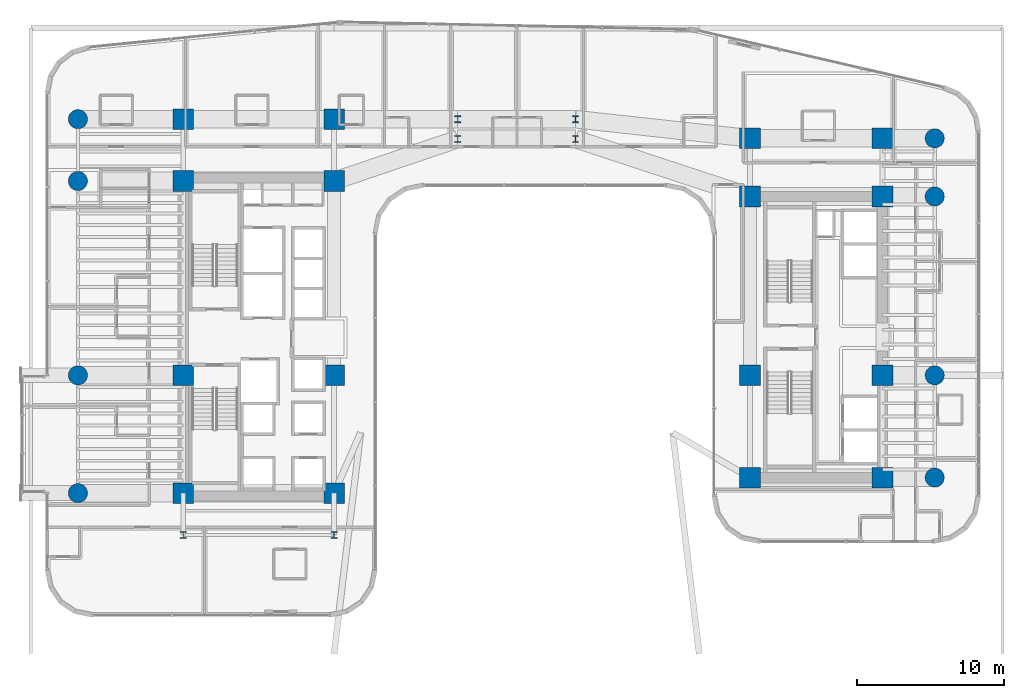
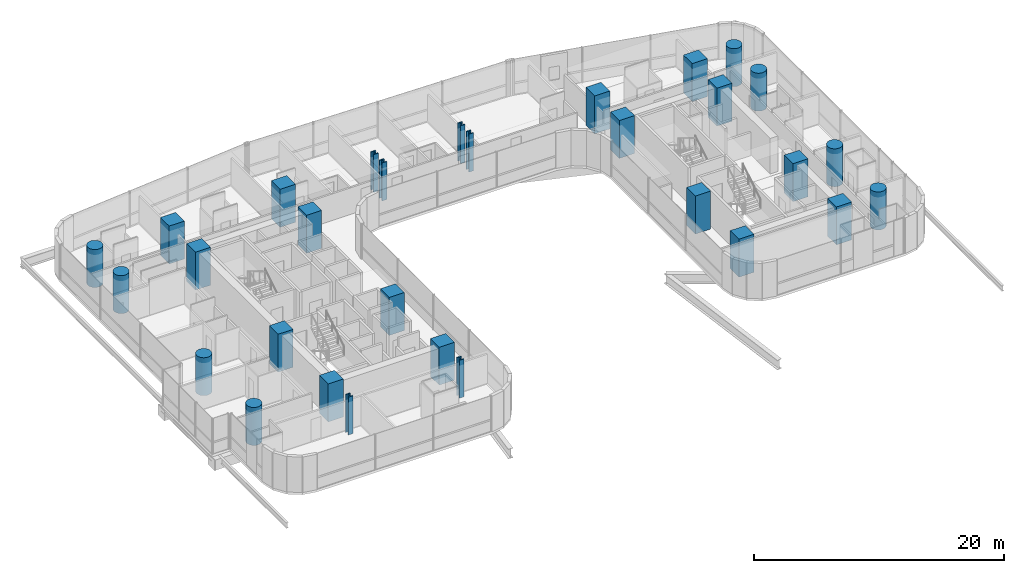
# One storey, part 1 of 50: 30 columns.
"""IFC4 building model written with IfcOpenShell, lengths in metres."""

from ifc_helpers import new_model, si_unit, direction, frame, origin, origin_2d, place, context, subcontext, project, spatial, rectangle, circle, i_section, extrude, source, transform, mapped, material, material_profile, profile_set, type_object, element, save


model = new_model("IFC4")

# Units and contexts
model_context = context("Model", 3, precision=1e-05, world=origin(), true_north=direction((0.0, 1.0)))
body_context = subcontext(model_context, "Body", "Model", "MODEL_VIEW")
ifc_project = project(units=[si_unit("LENGTHUNIT", "METRE"), si_unit("AREAUNIT", "SQUARE_METRE"), si_unit("VOLUMEUNIT", "CUBIC_METRE"), si_unit("PLANEANGLEUNIT", "RADIAN"), si_unit("MASSUNIT", "GRAM", prefix="KILO")], contexts=[model_context])

# Site, building, storey
site_placement = place(None, origin())
site = spatial("IfcSite", under=ifc_project, at=site_placement, CompositionType="ELEMENT")
building_placement = place(site_placement, origin())
building = spatial("IfcBuilding", under=site, at=building_placement, Name="Valdorenza Pilgrim Sanctuary Tower", CompositionType="ELEMENT")
storey_placement = place(building_placement, frame((0.0, 0.0, 26.0)))
storey = spatial("IfcBuildingStorey", under=building, at=storey_placement, Name="L05", CompositionType="ELEMENT", Elevation=26.0)

# Columns
ifc_material_1 = material(Name="Concrete C60/75", Category="concrete")
ifc_material_profile_1 = material_profile(ifc_material_1, circle(Radius=0.64990234375, at=origin_2d()), Name="RC D1300")
ifc_profile_set_1 = profile_set([ifc_material_profile_1], Name="Concrete C60/75")
column_type_1 = type_object("IfcColumnType", Name="COL-RND-1300", PredefinedType="COLUMN", material=ifc_profile_set_1)
shared_shape_1 = source(origin(), body_context, "Body", "SweptSolid", [
    extrude(circle(Radius=0.64990234375, at=origin_2d()), origin(), (0.0, 0.0, 1.0), 3.699951171875),
])
for number, where, z_axis, x_axis, name in (
    (1, (-29.800048828125, -10.60009765625, 0.0), (0.0, 0.0, 1.0), (1.0, 0.0, 0.0), "L05 Perimeter Column WA-W-S1"),
    (2, (-29.800048828125, -2.60009765625, 0.0), (0.0, 0.0, 1.0), (1.0, 0.0, 0.0), "L05 Perimeter Column WA-W-M0"),
    (3, (-29.800048828125, 10.60009765625, 0.0), (0.0, 0.0, 1.0), (1.0, 0.0, 0.0), "L05 Perimeter Column WA-W-N1"),
    (4, (-29.800048828125, 14.800048828125, 0.0), (0.0, 0.0, 1.0), (1.0, 0.0, 0.0), "L05 Perimeter Column WA-W-N2"),
    (5, (28.39990234375, -9.550048828125, 0.0), (0.0, 0.0, 1.0), (1.0, 0.0, 0.0), "L05 Perimeter Column WB-E-S1"),
    (6, (28.39990234375, -2.60009765625, 0.0), (0.0, 0.0, 1.0), (1.0, 0.0, 0.0), "L05 Perimeter Column WB-E-M0"),
    (7, (28.39990234375, 9.550048828125, 0.0), (0.0, 0.0, 1.0), (1.0, 0.0, 0.0), "L05 Perimeter Column WB-E-N1"),
    (8, (28.39990234375, 13.5, 0.0), (0.0, 0.0, 1.0), (1.0, 0.0, 0.0), "L05 Perimeter Column WB-E-N2"),
):
    element("IfcColumn", number, at=place(storey_placement, frame(where, z_axis=z_axis, x_axis=x_axis)), inside=storey, type_object=column_type_1, Name=name, PredefinedType="COLUMN", context=body_context, shape_type="MappedRepresentation", body=[
        mapped(shared_shape_1, transform((0.0, 0.0, 0.0), x_axis=(1.0, 0.0, 0.0), y_axis=(0.0, 1.0, 0.0), z_axis=(0.0, 0.0, 1.0), scale=1.0)),
    ])
ifc_material_profile_2 = material_profile(ifc_material_1, rectangle(XDim=1.39990234375, YDim=1.39990234375, at=origin_2d()), Name="RC 1400x1400")
ifc_profile_set_2 = profile_set([ifc_material_profile_2], Name="Concrete C60/75")
column_type_2 = type_object("IfcColumnType", Name="COL-Z1-1400", PredefinedType="COLUMN", material=ifc_profile_set_2)
shared_shape_2 = source(origin(), body_context, "Body", "SweptSolid", [
    extrude(rectangle(XDim=1.39990234375, YDim=1.39990234375, at=origin_2d()), origin(), (0.0, 0.0, 1.0), 3.699951171875),
])
for number, where, z_axis, x_axis, name in (
    (9, (-22.64990234375, -10.60009765625, 0.0), (0.0, 0.0, 1.0), (1.0, 0.0, 0.0), "L05 Column CA-W-S1"),
    (10, (-12.39990234375, -10.60009765625, 0.0), (0.0, 0.0, 1.0), (1.0, 0.0, 0.0), "L05 Column CA-E-S1"),
    (11, (-22.64990234375, -2.60009765625, 0.0), (0.0, 0.0, 1.0), (1.0, 0.0, 0.0), "L05 Column CA-W-M0"),
    (12, (-12.39990234375, -2.60009765625, 0.0), (0.0, 0.0, 1.0), (1.0, 0.0, 0.0), "L05 Column CA-E-M0"),
    (13, (-22.64990234375, 10.60009765625, 0.0), (0.0, 0.0, 1.0), (1.0, 0.0, 0.0), "L05 Column CA-W-N1"),
    (14, (-12.39990234375, 10.60009765625, 0.0), (0.0, 0.0, 1.0), (1.0, 0.0, 0.0), "L05 Column CA-E-N1"),
    (15, (-22.64990234375, 14.800048828125, 0.0), (0.0, 0.0, 1.0), (1.0, 0.0, 0.0), "L05 Column CA-W-N2"),
    (16, (-12.39990234375, 14.800048828125, 0.0), (0.0, 0.0, 1.0), (1.0, 0.0, 0.0), "L05 Column CA-E-N2"),
    (17, (15.85009765625, -9.550048828125, 0.0), (0.0, 0.0, 1.0), (1.0, 0.0, 0.0), "L05 Column CB-W-S1"),
    (18, (24.85009765625, -9.550048828125, 0.0), (0.0, 0.0, 1.0), (1.0, 0.0, 0.0), "L05 Column CB-E-S1"),
    (19, (15.85009765625, -2.60009765625, 0.0), (0.0, 0.0, 1.0), (1.0, 0.0, 0.0), "L05 Column CB-W-M0"),
    (20, (24.85009765625, -2.60009765625, 0.0), (0.0, 0.0, 1.0), (1.0, 0.0, 0.0), "L05 Column CB-E-M0"),
    (21, (15.85009765625, 9.550048828125, 0.0), (0.0, 0.0, 1.0), (1.0, 0.0, 0.0), "L05 Column CB-W-N1"),
    (22, (24.85009765625, 9.550048828125, 0.0), (0.0, 0.0, 1.0), (1.0, 0.0, 0.0), "L05 Column CB-E-N1"),
    (23, (15.85009765625, 13.5, 0.0), (0.0, 0.0, 1.0), (1.0, 0.0, 0.0), "L05 Column CB-W-N2"),
    (24, (24.85009765625, 13.5, 0.0), (0.0, 0.0, 1.0), (1.0, 0.0, 0.0), "L05 Column CB-E-N2"),
):
    element("IfcColumn", number, at=place(storey_placement, frame(where, z_axis=z_axis, x_axis=x_axis)), inside=storey, type_object=column_type_2, Name=name, PredefinedType="COLUMN", context=body_context, shape_type="MappedRepresentation", body=[
        mapped(shared_shape_2, transform((0.0, 0.0, 0.0), x_axis=(1.0, 0.0, 0.0), y_axis=(0.0, 1.0, 0.0), z_axis=(0.0, 0.0, 1.0), scale=1.0)),
    ])
ifc_material_2 = material(Name="Steel ASTM A992 Grade 50", Category="steel")
ifc_material_profile_3 = material_profile(ifc_material_2, i_section(OverallWidth=0.431884765625, OverallDepth=0.498046875, WebThickness=0.0556640625, FlangeThickness=0.0888671875, at=origin_2d()), Name="W14X500")
ifc_profile_set_3 = profile_set([ifc_material_profile_3], Name="Steel ASTM A992 Grade 50")
column_type_3 = type_object("IfcColumnType", Name="COL-STL-W500", PredefinedType="COLUMN", material=ifc_profile_set_3)
shared_shape_3 = source(origin(), body_context, "Body", "SweptSolid", [
    extrude(i_section(OverallWidth=0.431884765625, OverallDepth=0.498046875, WebThickness=0.0556640625, FlangeThickness=0.0888671875, at=origin_2d()), origin(), (0.0, 0.0, 1.0), 3.699951171875),
])
for number, where, z_axis, x_axis, name in (
    (25, (-22.64990234375, -13.449951171875, 0.0), (0.0, 0.0, 1.0), (1.0, 0.0, 0.0), "L05 Column WA-S-W"),
    (26, (-12.39990234375, -13.449951171875, 0.0), (0.0, 0.0, 1.0), (1.0, 0.0, 0.0), "L05 Column WA-S-E"),
    (27, (-4.0, 13.449951171875, 0.0), (0.0, 0.0, 1.0), (1.0, 0.0, 0.0), "L05 Column KNK-W1"),
    (28, (-4.0, 14.800048828125, 0.0), (0.0, 0.0, 1.0), (1.0, 0.0, 0.0), "L05 Column KNK-W2"),
    (29, (4.0, 13.449951171875, 0.0), (0.0, 0.0, 1.0), (1.0, 0.0, 0.0), "L05 Column KNK-E1"),
    (30, (4.0, 14.800048828125, 0.0), (0.0, 0.0, 1.0), (1.0, 0.0, 0.0), "L05 Column KNK-E2"),
):
    element("IfcColumn", number, at=place(storey_placement, frame(where, z_axis=z_axis, x_axis=x_axis)), inside=storey, type_object=column_type_3, Name=name, PredefinedType="COLUMN", context=body_context, shape_type="MappedRepresentation", body=[
        mapped(shared_shape_3, transform((0.0, 0.0, 0.0), x_axis=(1.0, 0.0, 0.0), y_axis=(0.0, 1.0, 0.0), z_axis=(0.0, 0.0, 1.0), scale=1.0)),
    ])

save(model, "model.ifc")
